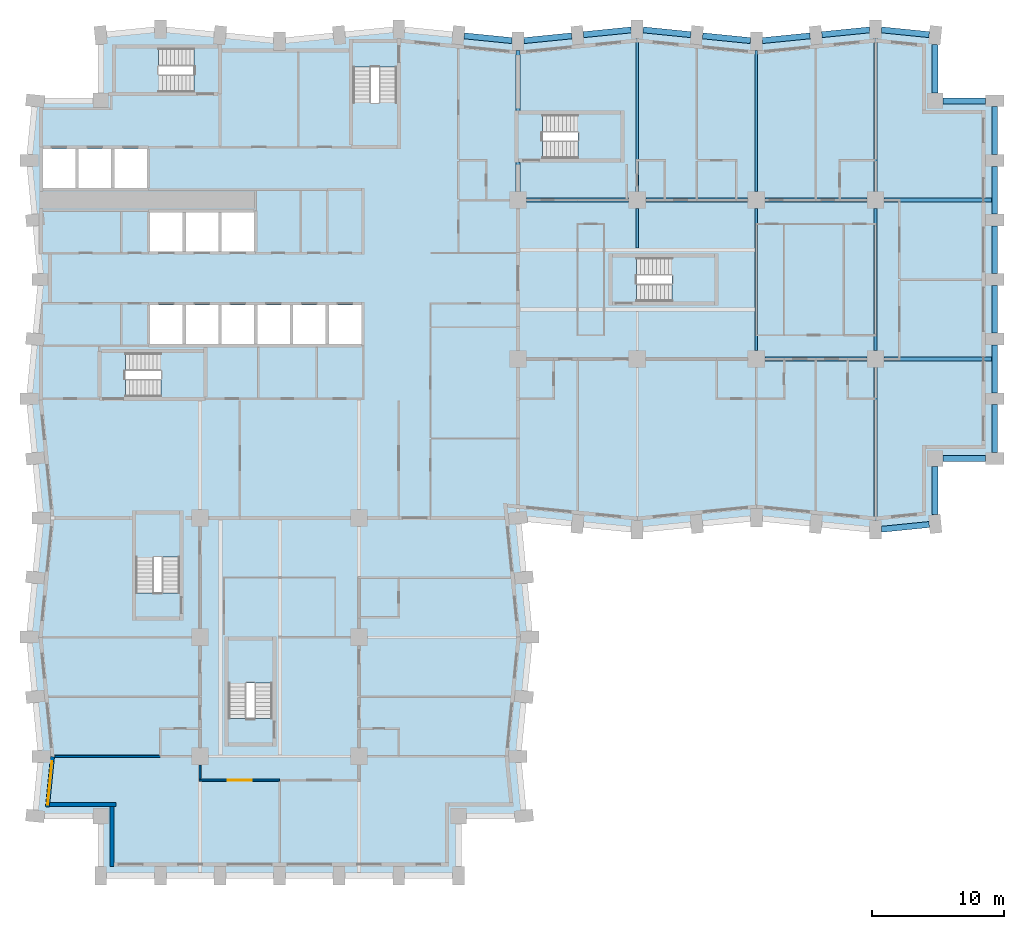
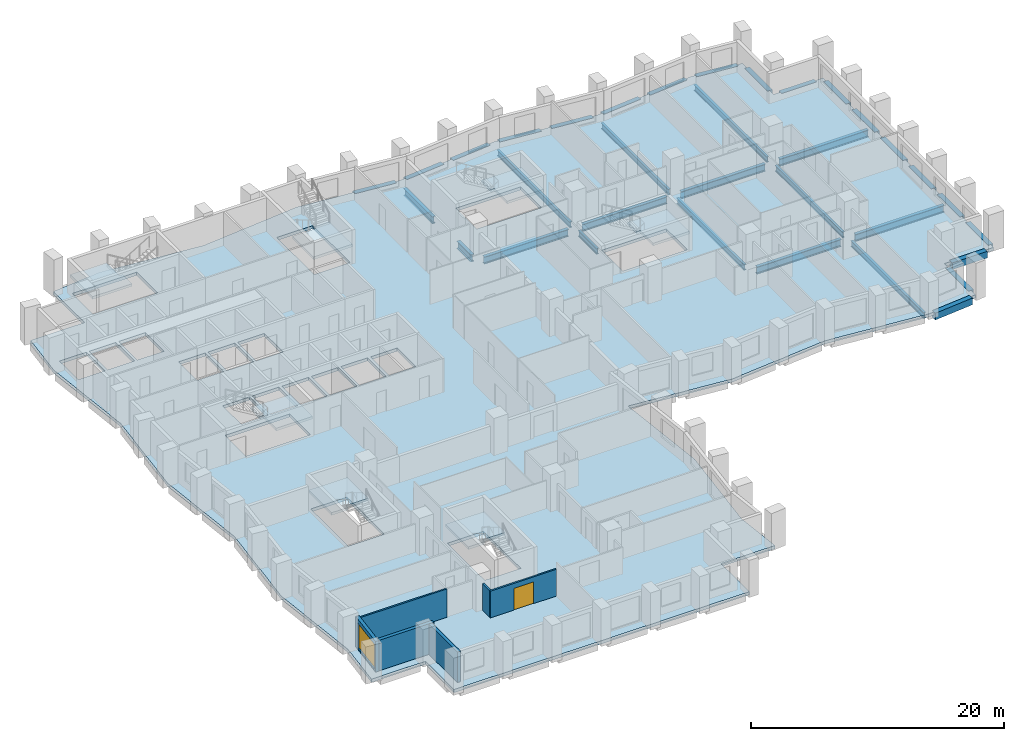
# One storey, part 2 of 12: 34 beams, 8 slabs, 6 walls, 1 door, 1 window, 2 openings, 7 elements without a shape of their own.
"""IFC4 building model written with IfcOpenShell, lengths in metres."""

from ifc_helpers import new_model, si_unit, direction, frame, frame_2d, origin, origin_2d, place, context, subcontext, project, spatial, polyline, rectangle, i_section, outline, extrude, material, layer, layer_set, material_profile, profile_set, type_object, element, fill, aggregate, save


model = new_model("IFC4")

# Units and contexts
model_context = context("Model", 3, precision=1e-05, world=origin(), true_north=direction((0.0, 1.0)))
body_context = subcontext(model_context, "Body", "Model", "MODEL_VIEW")
ifc_project = project(units=[si_unit("LENGTHUNIT", "METRE"), si_unit("AREAUNIT", "SQUARE_METRE"), si_unit("VOLUMEUNIT", "CUBIC_METRE"), si_unit("PLANEANGLEUNIT", "RADIAN"), si_unit("MASSUNIT", "GRAM", prefix="KILO")], contexts=[model_context])

# Site, building, storey
site_placement = place(None, origin())
site = spatial("IfcSite", under=ifc_project, at=site_placement, CompositionType="ELEMENT")
building_placement = place(site_placement, origin())
building = spatial("IfcBuilding", under=site, at=building_placement, Name="Brondeck Convention Tower", CompositionType="ELEMENT")
storey_placement = place(building_placement, frame((0.0, 0.0, 66.300048828125)))
storey = spatial("IfcBuildingStorey", under=building, at=storey_placement, Name="L14", CompositionType="ELEMENT", Elevation=66.300048828125)

# Beams
ifc_material_1 = material(Name="Steel S355", Category="steel")
ifc_material_profile_1 = material_profile(ifc_material_1, i_section(OverallWidth=0.2099609375, OverallDepth=0.550048828125, WebThickness=0.010986328125, FlangeThickness=0.01708984375, FilletRadius=0.02392578125, at=origin_2d()), Name="IPE 550")
ifc_profile_set_1 = profile_set([ifc_material_profile_1], Name="Steel S355")
beam_type_1 = type_object("IfcBeamType", Name="Floor beam IPE 550", PredefinedType="BEAM", material=ifc_profile_set_1)
beam_1_placement = place(storey_placement, frame((45.0, 51.64990234375, -0.574951171875), z_axis=(0.0, 1.0, 0.0), x_axis=(-1.0, 0.0, 0.0)))
element("IfcBeam", 1, at=beam_1_placement, inside=storey, type_object=beam_type_1, Name="STR-FB-L14-002", PredefinedType="BEAM", context=body_context, shape_type="SweptSolid", body=[
    extrude(i_section(OverallWidth=0.2099609375, OverallDepth=0.550048828125, WebThickness=0.010986328125, FlangeThickness=0.01708984375, FilletRadius=0.02392578125, at=origin_2d()), origin(), (0.0, 0.0, 1.0), 11.550048828125),
])
beam_2_placement = place(storey_placement, frame((54.0, 39.64990234375, -0.574951171875), z_axis=(0.0, 1.0, 0.0), x_axis=(-1.0, 0.0, 0.0)))
element("IfcBeam", 2, at=beam_2_placement, inside=storey, type_object=beam_type_1, Name="STR-FB-L14-004", PredefinedType="BEAM", context=body_context, shape_type="SweptSolid", body=[
    extrude(i_section(OverallWidth=0.2099609375, OverallDepth=0.550048828125, WebThickness=0.010986328125, FlangeThickness=0.01708984375, FilletRadius=0.02392578125, at=origin_2d()), origin(), (0.0, 0.0, 1.0), 10.7001953125),
])
beam_3_placement = place(storey_placement, frame((54.0, 51.64990234375, -0.574951171875), z_axis=(0.0, 1.0, 0.0), x_axis=(-1.0, 0.0, 0.0)))
element("IfcBeam", 3, at=beam_3_placement, inside=storey, type_object=beam_type_1, Name="STR-FB-L14-005", PredefinedType="BEAM", context=body_context, shape_type="SweptSolid", body=[
    extrude(i_section(OverallWidth=0.2099609375, OverallDepth=0.550048828125, WebThickness=0.010986328125, FlangeThickness=0.01708984375, FilletRadius=0.02392578125, at=origin_2d()), origin(), (0.0, 0.0, 1.0), 10.650146484375),
])
beam_4_placement = place(storey_placement, frame((63.0, 26.800048828125, -0.574951171875), z_axis=(0.0, 1.0, 0.0), x_axis=(-1.0, 0.0, 0.0)))
element("IfcBeam", 4, at=beam_4_placement, inside=storey, type_object=beam_type_1, Name="STR-FB-L14-006", PredefinedType="BEAM", context=body_context, shape_type="SweptSolid", body=[
    extrude(i_section(OverallWidth=0.2099609375, OverallDepth=0.550048828125, WebThickness=0.010986328125, FlangeThickness=0.01708984375, FilletRadius=0.02392578125, at=origin_2d()), origin(), (0.0, 0.0, 1.0), 11.550048828125),
])
beam_5_placement = place(storey_placement, frame((63.0, 39.64990234375, -0.574951171875), z_axis=(0.0, 1.0, 0.0), x_axis=(-1.0, 0.0, 0.0)))
element("IfcBeam", 5, at=beam_5_placement, inside=storey, type_object=beam_type_1, Name="STR-FB-L14-007", PredefinedType="BEAM", context=body_context, shape_type="SweptSolid", body=[
    extrude(i_section(OverallWidth=0.2099609375, OverallDepth=0.550048828125, WebThickness=0.010986328125, FlangeThickness=0.01708984375, FilletRadius=0.02392578125, at=origin_2d()), origin(), (0.0, 0.0, 1.0), 10.7001953125),
])
beam_6_placement = place(storey_placement, frame((63.0, 51.64990234375, -0.574951171875), z_axis=(0.0, 1.0, 0.0), x_axis=(-1.0, 0.0, 0.0)))
element("IfcBeam", 6, at=beam_6_placement, inside=storey, type_object=beam_type_1, Name="STR-FB-L14-008", PredefinedType="BEAM", context=body_context, shape_type="SweptSolid", body=[
    extrude(i_section(OverallWidth=0.2099609375, OverallDepth=0.550048828125, WebThickness=0.010986328125, FlangeThickness=0.01708984375, FilletRadius=0.02392578125, at=origin_2d()), origin(), (0.0, 0.0, 1.0), 11.550048828125),
])
beam_7_placement = place(storey_placement, frame((45.0, 47.39990234375, -0.574951171875), z_axis=(0.0, 1.0, 0.0), x_axis=(-1.0, 0.0, 0.0)))
element("IfcBeam", 7, at=beam_7_placement, inside=storey, type_object=beam_type_1, Name="STR-FB-L14-015", PredefinedType="BEAM", context=body_context, shape_type="SweptSolid", body=[
    extrude(i_section(OverallWidth=0.2099609375, OverallDepth=0.550048828125, WebThickness=0.010986328125, FlangeThickness=0.01708984375, FilletRadius=0.02392578125, at=origin_2d()), origin(), (0.0, 0.0, 1.0), 2.9501953125),
])
ifc_material_profile_2 = material_profile(ifc_material_1, i_section(OverallWidth=0.300048828125, OverallDepth=0.699951171875, WebThickness=0.01708984375, FlangeThickness=0.031982421875, FilletRadius=0.027099609375, at=origin_2d()), Name="HEB 700")
ifc_profile_set_2 = profile_set([ifc_material_profile_2], Name="Steel S355")
beam_type_2 = type_object("IfcBeamType", Name="Girder HEB 700", PredefinedType="BEAM", material=ifc_profile_set_2)
beam_8_placement = place(storey_placement, frame((54.64990234375, 39.0, -0.650146484375), z_axis=(1.0, 0.0, 0.0), x_axis=(0.0, 1.0, 0.0)))
element("IfcBeam", 8, at=beam_8_placement, inside=storey, type_object=beam_type_2, Name="STR-GR-L14-003", PredefinedType="BEAM", context=body_context, shape_type="SweptSolid", body=[
    extrude(i_section(OverallWidth=0.300048828125, OverallDepth=0.699951171875, WebThickness=0.01708984375, FlangeThickness=0.031982421875, FilletRadius=0.027099609375, at=origin_2d()), origin(), (0.0, 0.0, 1.0), 7.7001953125),
])
beam_9_placement = place(storey_placement, frame((63.64990234375, 39.0, -0.650146484375), z_axis=(1.0, 0.0, 0.0), x_axis=(0.0, 1.0, 0.0)))
element("IfcBeam", 9, at=beam_9_placement, inside=storey, type_object=beam_type_2, Name="STR-GR-L14-004", PredefinedType="BEAM", context=body_context, shape_type="SweptSolid", body=[
    extrude(i_section(OverallWidth=0.300048828125, OverallDepth=0.699951171875, WebThickness=0.01708984375, FlangeThickness=0.031982421875, FilletRadius=0.027099609375, at=origin_2d()), origin(), (0.0, 0.0, 1.0), 8.125),
])
for number, where, z_axis, x_axis, name in (
    (10, (36.64990234375, 51.0, -0.650146484375), (1.0, 0.0, 0.0), (0.0, 1.0, 0.0), "STR-GR-L14-005"),
    (11, (45.64990234375, 51.0, -0.650146484375), (1.0, 0.0, 0.0), (0.0, 1.0, 0.0), "STR-GR-L14-006"),
    (12, (54.64990234375, 51.0, -0.650146484375), (1.0, 0.0, 0.0), (0.0, 1.0, 0.0), "STR-GR-L14-007"),
):
    element("IfcBeam", number, at=place(storey_placement, frame(where, z_axis=z_axis, x_axis=x_axis)), inside=storey, type_object=beam_type_2, Name=name, PredefinedType="BEAM", context=body_context, shape_type="SweptSolid", body=[
        extrude(i_section(OverallWidth=0.300048828125, OverallDepth=0.699951171875, WebThickness=0.01708984375, FlangeThickness=0.031982421875, FilletRadius=0.027099609375, at=origin_2d()), origin(), (0.0, 0.0, 1.0), 7.7001953125),
    ])
beam_10_placement = place(storey_placement, frame((63.64990234375, 51.0, -0.650146484375), z_axis=(1.0, 0.0, 0.0), x_axis=(0.0, 1.0, 0.0)))
element("IfcBeam", 13, at=beam_10_placement, inside=storey, type_object=beam_type_2, Name="STR-GR-L14-008", PredefinedType="BEAM", context=body_context, shape_type="SweptSolid", body=[
    extrude(i_section(OverallWidth=0.300048828125, OverallDepth=0.699951171875, WebThickness=0.01708984375, FlangeThickness=0.031982421875, FilletRadius=0.027099609375, at=origin_2d()), origin(), (0.0, 0.0, 1.0), 8.125),
])
beam_11_placement = place(storey_placement, frame((36.0, 51.64990234375, -0.650146484375), z_axis=(0.0, 1.0, 0.0), x_axis=(-1.0, 0.0, 0.0)))
element("IfcBeam", 14, at=beam_11_placement, inside=storey, type_object=beam_type_2, Name="STR-GR-L14-011", PredefinedType="BEAM", context=body_context, shape_type="SweptSolid", body=[
    extrude(i_section(OverallWidth=0.300048828125, OverallDepth=0.699951171875, WebThickness=0.01708984375, FlangeThickness=0.031982421875, FilletRadius=0.027099609375, at=origin_2d()), origin(), (0.0, 0.0, 1.0), 2.22998046875),
])
beam_12_placement = place(storey_placement, frame((36.0, 57.719970703125, -0.650146484375), z_axis=(0.0, 1.0, 0.0), x_axis=(-1.0, 0.0, 0.0)))
element("IfcBeam", 15, at=beam_12_placement, inside=storey, type_object=beam_type_2, Name="STR-GR-L14-012", PredefinedType="BEAM", context=body_context, shape_type="SweptSolid", body=[
    extrude(i_section(OverallWidth=0.300048828125, OverallDepth=0.699951171875, WebThickness=0.01708984375, FlangeThickness=0.031982421875, FilletRadius=0.027099609375, at=origin_2d()), origin(), (0.0, 0.0, 1.0), 4.580078125),
])
ifc_material_2 = material(Name="Concrete C80/95", Category="concrete")
ifc_material_profile_3 = material_profile(ifc_material_2, rectangle(XDim=0.449951171875, YDim=0.64990234375, at=origin_2d()), Name="Precast spandrel 450x650 Concrete C80/95")
ifc_profile_set_3 = profile_set([ifc_material_profile_3], Name="Concrete C80/95")
beam_type_3 = type_object("IfcBeamType", Name="Precast spandrel 450x650 Concrete C80/95", PredefinedType="SPANDREL", material=ifc_profile_set_3)
beam_13_placement = place(storey_placement, frame((63.449951171875, 26.14501953125, -0.324951171875), z_axis=(0.995040528141, 0.099470334057, 0.0), x_axis=(-0.099470334057, 0.995040528141, 0.0)))
element("IfcBeam", 16, at=beam_13_placement, inside=storey, type_object=beam_type_3, Name="STR-SP-L14-020", PredefinedType="SPANDREL", context=body_context, shape_type="SweptSolid", body=[
    extrude(rectangle(XDim=0.449951171875, YDim=0.64990234375, at=origin_2d()), origin(), (0.0, 0.0, 1.0), 3.620361328125),
])
beam_14_placement = place(storey_placement, frame((67.5, 27.25341796875, -0.324951171875), z_axis=(0.0, 1.0, 0.0), x_axis=(-1.0, 0.0, 0.0)))
element("IfcBeam", 17, at=beam_14_placement, inside=storey, type_object=beam_type_3, Name="STR-SP-L14-021", PredefinedType="SPANDREL", context=body_context, shape_type="SweptSolid", body=[
    extrude(rectangle(XDim=0.449951171875, YDim=0.64990234375, at=origin_2d()), origin(), (0.0, 0.0, 1.0), 3.646484375),
])
beam_15_placement = place(storey_placement, frame((68.10009765625, 31.5, -0.324951171875), z_axis=(1.0, 0.0, 0.0), x_axis=(0.0, 1.0, 0.0)))
element("IfcBeam", 18, at=beam_15_placement, inside=storey, type_object=beam_type_3, Name="STR-SP-L14-022", PredefinedType="SPANDREL", context=body_context, shape_type="SweptSolid", body=[
    extrude(rectangle(XDim=0.449951171875, YDim=0.64990234375, at=origin_2d()), origin(), (0.0, 0.0, 1.0), 3.199951171875),
])
for number, where, z_axis, x_axis, name in (
    (19, (72.0, 31.949951171875, -0.324951171875), (0.0, 1.0, 0.0), (-1.0, 0.0, 0.0), "STR-SP-L14-023"),
    (20, (72.0, 36.449951171875, -0.324951171875), (0.0, 1.0, 0.0), (-1.0, 0.0, 0.0), "STR-SP-L14-024"),
    (21, (72.0, 40.949951171875, -0.324951171875), (0.0, 1.0, 0.0), (-1.0, 0.0, 0.0), "STR-SP-L14-025"),
    (22, (72.0, 45.449951171875, -0.324951171875), (0.0, 1.0, 0.0), (-1.0, 0.0, 0.0), "STR-SP-L14-026"),
    (23, (72.0, 49.949951171875, -0.324951171875), (0.0, 1.0, 0.0), (-1.0, 0.0, 0.0), "STR-SP-L14-027"),
    (24, (72.0, 54.449951171875, -0.324951171875), (0.0, 1.0, 0.0), (-1.0, 0.0, 0.0), "STR-SP-L14-028"),
):
    element("IfcBeam", number, at=place(storey_placement, frame(where, z_axis=z_axis, x_axis=x_axis)), inside=storey, type_object=beam_type_3, Name=name, PredefinedType="SPANDREL", context=body_context, shape_type="SweptSolid", body=[
        extrude(rectangle(XDim=0.449951171875, YDim=0.64990234375, at=origin_2d()), origin(), (0.0, 0.0, 1.0), 3.60009765625),
    ])
beam_16_placement = place(storey_placement, frame((71.300048828125, 58.5, -0.324951171875), z_axis=(-1.0, 0.0, 0.0), x_axis=(0.0, -1.0, 0.0)))
element("IfcBeam", 25, at=beam_16_placement, inside=storey, type_object=beam_type_3, Name="STR-SP-L14-029", PredefinedType="SPANDREL", context=body_context, shape_type="SweptSolid", body=[
    extrude(rectangle(XDim=0.449951171875, YDim=0.64990234375, at=origin_2d()), origin(), (0.0, 0.0, 1.0), 3.199951171875),
])
beam_17_placement = place(storey_placement, frame((67.5, 59.10009765625, -0.324951171875), z_axis=(0.0, 1.0, 0.0), x_axis=(-1.0, 0.0, 0.0)))
element("IfcBeam", 26, at=beam_17_placement, inside=storey, type_object=beam_type_3, Name="STR-SP-L14-030", PredefinedType="SPANDREL", context=body_context, shape_type="SweptSolid", body=[
    extrude(rectangle(XDim=0.449951171875, YDim=0.64990234375, at=origin_2d()), origin(), (0.0, 0.0, 1.0), 3.646484375),
])
for number, where, z_axis, x_axis, name in (
    (27, (67.05224609375, 63.494873046875, -0.324951171875), (-0.995040528141, 0.099470334057, 0.0), (-0.099470334057, -0.995040528141, 0.0), "STR-SP-L14-031"),
    (28, (62.550048828125, 63.85498046875, -0.324951171875), (-0.995040528141, -0.099470334057, 0.0), (0.099470334057, -0.995040528141, 0.0), "STR-SP-L14-032"),
    (29, (58.05224609375, 63.4052734375, -0.324951171875), (-0.995033851182, -0.099537103649, 0.0), (0.099537103649, -0.995033851182, 0.0), "STR-SP-L14-033"),
    (30, (53.550048828125, 63.044921875, -0.324951171875), (-0.995033851182, 0.099537103649, 0.0), (-0.099537103649, -0.995033851182, 0.0), "STR-SP-L14-034"),
    (31, (49.05224609375, 63.494873046875, -0.324951171875), (-0.995040528141, 0.099470334057, 0.0), (-0.099470334057, -0.995040528141, 0.0), "STR-SP-L14-035"),
    (32, (44.550048828125, 63.85498046875, -0.324951171875), (-0.995040528141, -0.099470334057, 0.0), (0.099470334057, -0.995040528141, 0.0), "STR-SP-L14-036"),
    (33, (40.05224609375, 63.4052734375, -0.324951171875), (-0.995033851182, -0.099537103649, 0.0), (0.099537103649, -0.995033851182, 0.0), "STR-SP-L14-037"),
    (34, (35.550048828125, 63.044921875, -0.324951171875), (-0.995033851182, 0.099537103649, 0.0), (-0.099537103649, -0.995033851182, 0.0), "STR-SP-L14-038"),
):
    element("IfcBeam", number, at=place(storey_placement, frame(where, z_axis=z_axis, x_axis=x_axis)), inside=storey, type_object=beam_type_3, Name=name, PredefinedType="SPANDREL", context=body_context, shape_type="SweptSolid", body=[
        extrude(rectangle(XDim=0.449951171875, YDim=0.64990234375, at=origin_2d()), origin(), (0.0, 0.0, 1.0), 3.620361328125),
    ])

# Slab
ifc_material_3 = material(Name="Concrete C35/45", Category="concrete")
ifc_layer_1 = layer(ifc_material_3, 0.300048828125)
ifc_layer_set_1 = layer_set([ifc_layer_1], Name="Composite floor slab 300")
slab_type_1 = type_object("IfcSlabType", Name="Composite floor slab 300", PredefinedType="FLOOR", material=ifc_layer_set_1)
slab_1_placement = place(storey_placement, frame((0.0, 0.0, -0.300048828125)))
element("IfcSlab", 35, at=slab_1_placement, inside=storey, type_object=slab_type_1, Name="STR-SL-L14", PredefinedType="FLOOR", context=body_context, shape_type="SweptSolid", body=[
    extrude(outline(polyline([(4.5, 4.5), (-0.449951171875, 4.5), (0.0, 9.0), (-0.89990234375, 18.0), (0.0, 27.0), (-0.89990234375, 36.0), (0.0, 45.0), (-0.89990234375, 54.0), (-0.449951171875, 58.5), (4.5, 58.5), (4.5, 63.449951171875), (9.0, 63.89990234375), (18.0, 63.0), (27.0, 63.89990234375), (36.0, 63.0), (45.0, 63.89990234375), (54.0, 63.0), (63.0, 63.89990234375), (67.5, 63.449951171875), (67.5, 58.5), (72.0, 58.5), (72.0, 31.5), (67.5, 31.5), (67.5, 26.550048828125), (63.0, 26.10009765625), (54.0, 27.0), (45.0, 26.10009765625), (36.0, 27.0), (36.89990234375, 18.0), (36.0, 9.0), (36.449951171875, 4.5), (31.5, 4.5), (31.5, 0.0), (4.5, 0.0), (4.5, 4.5)]), holes=[polyline([(10.447998046875, 27.248046875), (7.152099609375, 27.248046875), (7.152099609375, 21.35205078125), (10.447998046875, 21.35205078125), (10.447998046875, 27.248046875)]), polyline([(12.248046875, 36.152099609375), (12.248046875, 39.447998046875), (6.35205078125, 39.447998046875), (6.35205078125, 36.152099609375), (12.248046875, 36.152099609375)]), polyline([(10.675048828125, 40.125), (10.675048828125, 43.074951171875), (8.22509765625, 43.074951171875), (8.22509765625, 40.125), (10.675048828125, 40.125)]), polyline([(13.375, 40.125), (13.375, 43.074951171875), (10.925048828125, 43.074951171875), (10.925048828125, 40.125), (13.375, 40.125)]), polyline([(10.675048828125, 47.125), (10.675048828125, 50.074951171875), (8.22509765625, 50.074951171875), (8.22509765625, 47.125), (10.675048828125, 47.125)]), polyline([(13.375, 47.125), (13.375, 50.074951171875), (10.925048828125, 50.074951171875), (10.925048828125, 47.125), (13.375, 47.125)]), polyline([(2.574951171875, 51.925048828125), (2.574951171875, 54.875), (0.125, 54.875), (0.125, 51.925048828125), (2.574951171875, 51.925048828125)]), polyline([(2.824951171875, 51.925048828125), (5.27490234375, 51.925048828125), (5.27490234375, 54.875), (2.824951171875, 54.875), (2.824951171875, 51.925048828125)]), polyline([(5.52490234375, 51.925048828125), (7.97509765625, 51.925048828125), (7.97509765625, 54.875), (5.52490234375, 54.875), (5.52490234375, 51.925048828125)]), polyline([(5.652099609375, 62.447998046875), (5.652099609375, 59.152099609375), (11.548095703125, 59.152099609375), (11.548095703125, 62.447998046875), (5.652099609375, 62.447998046875)]), polyline([(17.447998046875, 17.748046875), (14.152099609375, 17.748046875), (14.152099609375, 11.85205078125), (17.447998046875, 11.85205078125), (17.447998046875, 17.748046875)]), polyline([(16.074951171875, 40.125), (16.074951171875, 43.074951171875), (13.625, 43.074951171875), (13.625, 40.125), (16.074951171875, 40.125)]), polyline([(16.324951171875, 40.125), (18.77490234375, 40.125), (18.77490234375, 43.074951171875), (16.324951171875, 43.074951171875), (16.324951171875, 40.125)]), polyline([(19.02490234375, 40.125), (21.47509765625, 40.125), (21.47509765625, 43.074951171875), (19.02490234375, 43.074951171875), (19.02490234375, 40.125)]), polyline([(24.175048828125, 40.125), (24.175048828125, 43.074951171875), (21.72509765625, 43.074951171875), (21.72509765625, 40.125), (24.175048828125, 40.125)]), polyline([(50.847900390625, 43.35205078125), (50.847900390625, 46.64794921875), (44.951904296875, 46.64794921875), (44.951904296875, 43.35205078125), (50.847900390625, 43.35205078125)]), polyline([(16.074951171875, 47.125), (16.074951171875, 50.074951171875), (13.625, 50.074951171875), (13.625, 47.125), (16.074951171875, 47.125)]), polyline([(37.85205078125, 54.152099609375), (43.748046875, 54.152099609375), (43.748046875, 57.447998046875), (37.85205078125, 57.447998046875), (37.85205078125, 54.152099609375)]), polyline([(23.552001953125, 61.048095703125), (23.552001953125, 55.152099609375), (26.847900390625, 55.152099609375), (26.847900390625, 61.048095703125), (23.552001953125, 61.048095703125)])]), origin(), (0.0, 0.0, 1.0), 0.300048828125),
])

# Stair, slab
ifc_material_4 = material(Name="Precast concrete C50/60", Category="concrete")
stair_type = type_object("IfcStairType", Name="Core stair 20 risers 180.00 mm riser 300 mm going 1350 wide", PredefinedType="HALF_TURN_STAIR", material=ifc_material_4)
stair_1_placement = place(storey_placement, origin())
stair_1 = element("IfcStair", 36, at=stair_1_placement, inside=storey, type_object=stair_type, Name="ST-1 L14 stair", PredefinedType="HALF_TURN_STAIR")
ifc_layer_2 = layer(ifc_material_4, 0.25)
ifc_layer_set_2 = layer_set([ifc_layer_2], Name="Core stair landing 250 Precast concrete C50/60")
slab_type_2 = type_object("IfcSlabType", Name="Core stair landing 250 Precast concrete C50/60", PredefinedType="LANDING", material=ifc_layer_set_2)
slab_2_placement = place(storey_placement, frame((0.0, 0.0, 1.550048828125)))
slab_2 = element("IfcSlab", 37, at=slab_2_placement, type_object=slab_type_2, Name="ST-1 landing 1", PredefinedType="LANDING", context=body_context, shape_type="SweptSolid", body=[
    extrude(outline(polyline([(9.048095703125, 37.5), (9.050048828125, 37.5), (9.050048828125, 38.10009765625), (8.75, 38.10009765625), (8.75, 39.570068359375), (12.3701171875, 39.570068359375), (12.3701171875, 36.030029296875), (9.048095703125, 36.030029296875), (9.048095703125, 37.5)])), origin(), (0.0, 0.0, 1.0), 0.25),
])
aggregate(stair_1, [slab_2])

stair_2_placement = place(storey_placement, origin())
stair_2 = element("IfcStair", 38, at=stair_2_placement, inside=storey, type_object=stair_type, Name="ST-2 L14 stair", PredefinedType="HALF_TURN_STAIR")
slab_3_placement = place(storey_placement, frame((0.0, 0.0, 1.550048828125)))
slab_3 = element("IfcSlab", 39, at=slab_3_placement, type_object=slab_type_2, Name="ST-2 landing 1", PredefinedType="LANDING", context=body_context, shape_type="SweptSolid", body=[
    extrude(outline(polyline([(23.429931640625, 58.35205078125), (24.89990234375, 58.35205078125), (24.89990234375, 58.35009765625), (25.5, 58.35009765625), (25.5, 58.64990234375), (26.969970703125, 58.64990234375), (26.969970703125, 55.030029296875), (23.429931640625, 55.030029296875), (23.429931640625, 58.35205078125)])), origin(), (0.0, 0.0, 1.0), 0.25),
])
aggregate(stair_2, [slab_3])

stair_3_placement = place(storey_placement, origin())
stair_3 = element("IfcStair", 40, at=stair_3_placement, inside=storey, type_object=stair_type, Name="ST-3 L14 stair", PredefinedType="HALF_TURN_STAIR")
slab_4_placement = place(storey_placement, frame((0.0, 0.0, 1.550048828125)))
slab_4 = element("IfcSlab", 41, at=slab_4_placement, type_object=slab_type_2, Name="ST-3 landing 1", PredefinedType="LANDING", context=body_context, shape_type="SweptSolid", body=[
    extrude(outline(polyline([(9.14990234375, 60.5), (9.14990234375, 59.030029296875), (5.530029296875, 59.030029296875), (5.530029296875, 62.570068359375), (8.85205078125, 62.570068359375), (8.85205078125, 61.10009765625), (8.85009765625, 61.10009765625), (8.85009765625, 60.5), (9.14990234375, 60.5)])), origin(), (0.0, 0.0, 1.0), 0.25),
])
aggregate(stair_3, [slab_4])

stair_4_placement = place(storey_placement, origin())
stair_4 = element("IfcStair", 42, at=stair_4_placement, inside=storey, type_object=stair_type, Name="ST-AE L14 stair", PredefinedType="HALF_TURN_STAIR")
slab_5_placement = place(storey_placement, frame((0.0, 0.0, 1.550048828125)))
slab_5 = element("IfcSlab", 43, at=slab_5_placement, type_object=slab_type_2, Name="ST-AE landing 1", PredefinedType="LANDING", context=body_context, shape_type="SweptSolid", body=[
    extrude(outline(polyline([(40.548095703125, 55.5), (40.550048828125, 55.5), (40.550048828125, 56.10009765625), (40.25, 56.10009765625), (40.25, 57.570068359375), (43.8701171875, 57.570068359375), (43.8701171875, 54.030029296875), (40.548095703125, 54.030029296875), (40.548095703125, 55.5)])), origin(), (0.0, 0.0, 1.0), 0.25),
])
aggregate(stair_4, [slab_5])

stair_5_placement = place(storey_placement, origin())
stair_5 = element("IfcStair", 44, at=stair_5_placement, inside=storey, type_object=stair_type, Name="ST-BE L14 stair", PredefinedType="HALF_TURN_STAIR")
slab_6_placement = place(storey_placement, frame((0.0, 0.0, 1.550048828125)))
slab_6 = element("IfcSlab", 45, at=slab_6_placement, type_object=slab_type_2, Name="ST-BE landing 1", PredefinedType="LANDING", context=body_context, shape_type="SweptSolid", body=[
    extrude(outline(polyline([(7.030029296875, 23.75), (7.030029296875, 27.3701171875), (10.570068359375, 27.3701171875), (10.570068359375, 24.048095703125), (9.10009765625, 24.048095703125), (9.10009765625, 24.050048828125), (8.5, 24.050048828125), (8.5, 23.75), (7.030029296875, 23.75)])), origin(), (0.0, 0.0, 1.0), 0.25),
])
aggregate(stair_5, [slab_6])

stair_6_placement = place(storey_placement, origin())
stair_6 = element("IfcStair", 46, at=stair_6_placement, inside=storey, type_object=stair_type, Name="ST-AF L14 stair", PredefinedType="HALF_TURN_STAIR")
slab_7_placement = place(storey_placement, frame((0.0, 0.0, 1.550048828125)))
slab_7 = element("IfcSlab", 47, at=slab_7_placement, type_object=slab_type_2, Name="ST-AF landing 1", PredefinedType="LANDING", context=body_context, shape_type="SweptSolid", body=[
    extrude(outline(polyline([(47.64794921875, 44.699951171875), (47.64990234375, 44.699951171875), (47.64990234375, 45.300048828125), (47.35009765625, 45.300048828125), (47.35009765625, 46.77001953125), (50.969970703125, 46.77001953125), (50.969970703125, 43.22998046875), (47.64794921875, 43.22998046875), (47.64794921875, 44.699951171875)])), origin(), (0.0, 0.0, 1.0), 0.25),
])
aggregate(stair_6, [slab_7])

stair_7_placement = place(storey_placement, origin())
stair_7 = element("IfcStair", 48, at=stair_7_placement, inside=storey, type_object=stair_type, Name="ST-BF L14 stair", PredefinedType="HALF_TURN_STAIR")
slab_8_placement = place(storey_placement, frame((0.0, 0.0, 1.550048828125)))
slab_8 = element("IfcSlab", 49, at=slab_8_placement, type_object=slab_type_2, Name="ST-BF landing 1", PredefinedType="LANDING", context=body_context, shape_type="SweptSolid", body=[
    extrude(outline(polyline([(14.030029296875, 14.25), (14.030029296875, 17.8701171875), (17.570068359375, 17.8701171875), (17.570068359375, 14.548095703125), (16.10009765625, 14.548095703125), (16.10009765625, 14.550048828125), (15.5, 14.550048828125), (15.5, 14.25), (14.030029296875, 14.25)])), origin(), (0.0, 0.0, 1.0), 0.25),
])
aggregate(stair_7, [slab_8])

# Wall, opening, window
ifc_material_5 = material(Name="Precast concrete C50/60 bronze finish", Category="concrete")
ifc_layer_3 = layer(ifc_material_5, 0.070068359375, Name="Bronze precast facing")
ifc_material_6 = material(Name="Mineral wool")
ifc_layer_4 = layer(ifc_material_6, 0.159912109375, Name="Insulation")
ifc_layer_5 = layer(ifc_material_3, 0.070068359375, Name="Backing")
ifc_layer_set_3 = layer_set([ifc_layer_3, ifc_layer_4, ifc_layer_5], Name="External infill wall, precast concrete C50/60 bronze facing")
wall_type_1 = type_object("IfcWallType", Name="External infill wall, precast concrete C50/60 bronze facing", PredefinedType="SOLIDWALL", material=ifc_layer_set_3)
wall_1_placement = place(storey_placement, frame((0.47265625, 5.18505859375, 0.0), z_axis=(0.0, 0.0, 1.0), x_axis=(0.099541845169, 0.995033376857, 0.0)))
wall_1 = element("IfcWall", 50, at=wall_1_placement, inside=storey, type_object=wall_type_1, Name="ENV-EW-L14-P0-B-W-12", PredefinedType="SOLIDWALL", context=body_context, shape_type="SweptSolid", body=[
    extrude(rectangle(XDim=3.803955078125, YDim=0.300048828125, at=frame_2d((1.90185546875, 0.0))), origin(), (0.0, 0.0, 1.0), 2.949951171875),
])
opening_1_placement = place(wall_1_placement, frame((0.14990234375, 0.0, 0.14990234375)))
opening_1 = element("IfcOpeningElement", 51, at=opening_1_placement, cuts=wall_1, Name="Opening W9", PredefinedType="OPENING", context=body_context, shape_type="SweptSolid", body=[
    extrude(rectangle(XDim=3.300048828125, YDim=2.39990234375, at=frame_2d((1.64990234375, 1.199951171875))), frame((0.0, 0.159912109375, 0.0), z_axis=(0.0, -1.0, 0.0), x_axis=(1.0, 0.0, 0.0)), (0.0, 0.0, 1.0), 0.320068359375),
])
ifc_material_7 = material(Name="Bronze tinted double glazing", Category="glass")
window_type = type_object("IfcWindowType", Name="Glazed flute window, bronze tinted", PartitioningType="SINGLE_PANEL", PredefinedType="WINDOW", material=ifc_material_7)
window_placement = place(opening_1_placement, origin())
window = element("IfcWindow", 52, at=window_placement, inside=storey, type_object=window_type, Name="ENV-WN-L14-P0-B-W-12", OverallHeight=2.39990234375, OverallWidth=3.300048828125, PartitioningType="SINGLE_PANEL", PredefinedType="WINDOW", context=body_context, shape_type="SweptSolid", body=[
    extrude(rectangle(XDim=3.300048828125, YDim=2.39990234375, at=frame_2d((1.64990234375, 1.199951171875))), frame((0.0, 0.030029296875, 0.0), z_axis=(0.0, -1.0, 0.0), x_axis=(1.0, 0.0, 0.0)), (0.0, 0.0, 1.0), 0.06005859375),
])
fill(opening_1, window)

# Walls
wall_2_placement = place(storey_placement, frame((5.64990234375, 5.35009765625, 0.0), z_axis=(0.0, 0.0, 1.0), x_axis=(-1.0, 0.0, 0.0)))
element("IfcWall", 53, at=wall_2_placement, inside=storey, type_object=wall_type_1, Name="ENV-EW-L14-P0-NC-SWB0-01", PredefinedType="SOLIDWALL", context=body_context, shape_type="SweptSolid", body=[
    extrude(rectangle(XDim=5.004638671875, YDim=0.300048828125, at=frame_2d((2.50244140625, 0.0))), origin(), (0.0, 0.0, 1.0), 2.949951171875),
])
wall_3_placement = place(storey_placement, frame((5.35009765625, 0.699951171875, 0.0), z_axis=(0.0, 0.0, 1.0), x_axis=(0.0, 1.0, 0.0)))
element("IfcWall", 54, at=wall_3_placement, inside=storey, type_object=wall_type_1, Name="ENV-EW-L14-P0-NC-SWB0-02", PredefinedType="SOLIDWALL", context=body_context, shape_type="SweptSolid", body=[
    extrude(rectangle(XDim=4.5, YDim=0.300048828125, at=frame_2d((2.25, 0.0))), origin(), (0.0, 0.0, 1.0), 2.949951171875),
])

# Wall, opening, door
ifc_material_8 = material(Name="Double gypsum board acoustic wall")
ifc_layer_6 = layer(ifc_material_8, 0.14990234375)
ifc_layer_set_4 = layer_set([ifc_layer_6], Name="Guest room party wall 150")
wall_type_2 = type_object("IfcWallType", Name="Guest room party wall 150", PredefinedType="PARTITIONING", material=ifc_layer_set_4)
wall_4_placement = place(storey_placement, frame((18.0, 7.199951171875, 0.0), z_axis=(0.0, 0.0, 1.0), x_axis=(-1.0, 0.0, 0.0)))
wall_4 = element("IfcWall", 55, at=wall_4_placement, inside=storey, type_object=wall_type_2, Name="FLR-L14-W002", PredefinedType="PARTITIONING", context=body_context, shape_type="SweptSolid", body=[
    extrude(rectangle(XDim=6.074951171875, YDim=0.14990234375, at=frame_2d((3.03759765625, 0.0))), origin(), (0.0, 0.0, 1.0), 2.579833984375),
])
opening_2_placement = place(wall_4_placement, frame((2.10009765625, 0.0, 0.0)))
opening_2 = element("IfcOpeningElement", 56, at=opening_2_placement, cuts=wall_4, Name="Opening H3-031", PredefinedType="OPENING", context=body_context, shape_type="SweptSolid", body=[
    extrude(rectangle(XDim=1.800048828125, YDim=2.10009765625, at=frame_2d((0.89990234375, 1.050048828125))), frame((0.0, 0.0849609375, 0.0), z_axis=(0.0, -1.0, 0.0), x_axis=(1.0, 0.0, 0.0)), (0.0, 0.0, 1.0), 0.169921875),
])
ifc_material_9 = material(Name="Glazed timber double door", Category="wood")
door_type = type_object("IfcDoorType", Name="Double door 1800", OperationType="DOUBLE_DOOR_SINGLE_SWING", PredefinedType="DOOR", material=ifc_material_9)
door_placement = place(opening_2_placement, origin())
door = element("IfcDoor", 57, at=door_placement, inside=storey, type_object=door_type, Name="Door H3-031", OperationType="DOUBLE_DOOR_SINGLE_SWING", OverallHeight=2.10009765625, OverallWidth=1.800048828125, PredefinedType="DOOR", context=body_context, shape_type="SweptSolid", body=[
    extrude(rectangle(XDim=1.800048828125, YDim=2.10009765625, at=frame_2d((0.89990234375, 1.050048828125))), frame((0.0, 0.02490234375, 0.0), z_axis=(0.0, -1.0, 0.0), x_axis=(1.0, 0.0, 0.0)), (0.0, 0.0, 1.0), 0.050048828125),
])
fill(opening_2, door)

# Walls
wall_5_placement = place(storey_placement, frame((12.0, 7.27490234375, 0.0), z_axis=(0.0, 0.0, 1.0), x_axis=(0.0, 1.0, 0.0)))
element("IfcWall", 58, at=wall_5_placement, inside=storey, type_object=wall_type_2, Name="FLR-L14-W004", PredefinedType="PARTITIONING", context=body_context, shape_type="SweptSolid", body=[
    extrude(rectangle(XDim=1.070068359375, YDim=0.14990234375, at=frame_2d((0.53515625, 0.0))), origin(), (0.0, 0.0, 1.0), 2.579833984375),
])
wall_6_placement = place(storey_placement, frame((9.0, 9.0, 0.0), z_axis=(0.0, 0.0, 1.0), x_axis=(-1.0, 0.0, 0.0)))
element("IfcWall", 59, at=wall_6_placement, inside=storey, type_object=wall_type_2, Name="FLR-L14-W006", PredefinedType="PARTITIONING", context=body_context, shape_type="SweptSolid", body=[
    extrude(rectangle(XDim=7.97509765625, YDim=0.14990234375, at=frame_2d((3.987548828125, 0.0))), origin(), (0.0, 0.0, 1.0), 2.72998046875),
])

save(model, "model.ifc")
